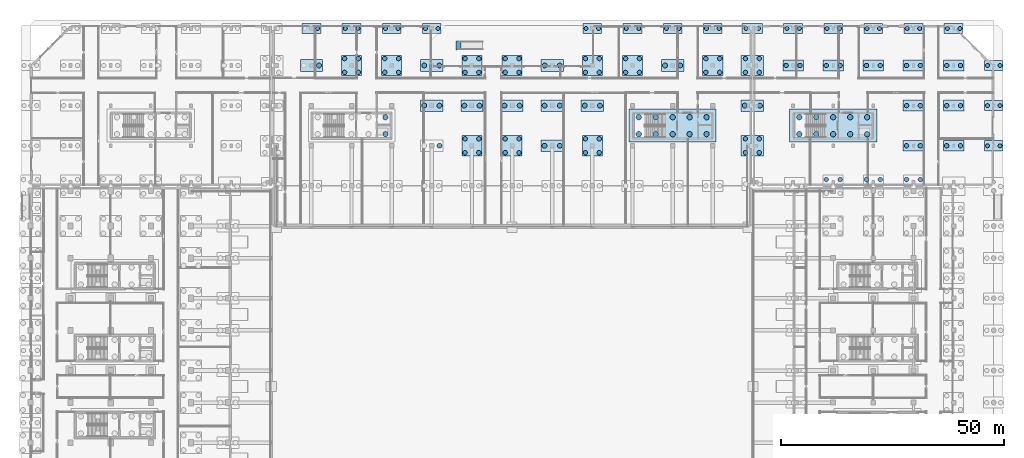
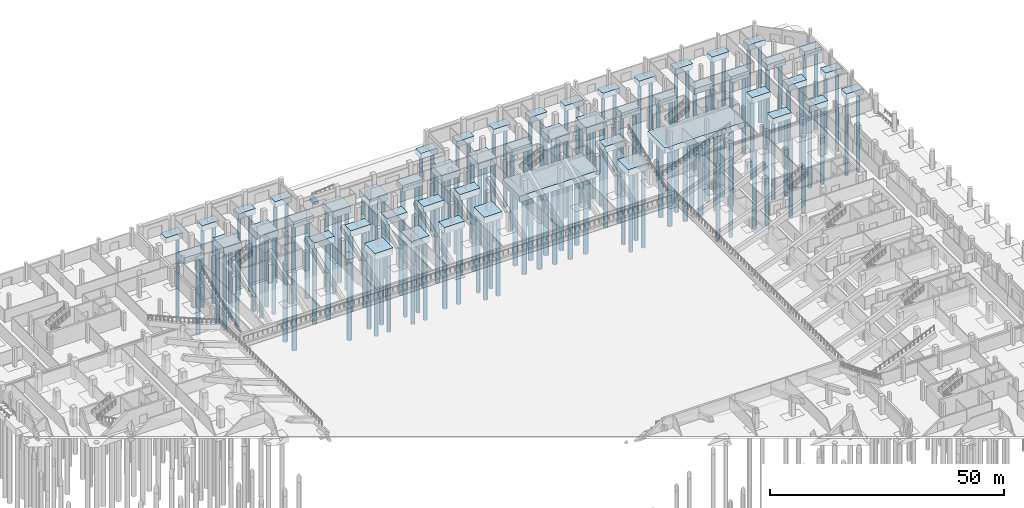
# One storey, part 7 of 53: 149 piles, 52 footings.
"""IFC4 building model written with IfcOpenShell, lengths in metres."""

from ifc_helpers import new_model, si_unit, direction, frame, origin, origin_2d, place, context, subcontext, project, spatial, rectangle, circle, extrude, material, layer, layer_set, material_profile, profile_set, type_object, element, save


model = new_model("IFC4")

# Units and contexts
model_context = context("Model", 3, precision=1e-05, world=origin(), true_north=direction((0.0, 1.0)))
body_context = subcontext(model_context, "Body", "Model", "MODEL_VIEW")
ifc_project = project(units=[si_unit("LENGTHUNIT", "METRE"), si_unit("AREAUNIT", "SQUARE_METRE"), si_unit("VOLUMEUNIT", "CUBIC_METRE"), si_unit("PLANEANGLEUNIT", "RADIAN"), si_unit("MASSUNIT", "GRAM", prefix="KILO"), si_unit("THERMODYNAMICTEMPERATUREUNIT", "KELVIN"), si_unit("POWERUNIT", "WATT")], contexts=[model_context])

# Site, building, storey
site_placement = place(None, origin())
site = spatial("IfcSite", under=ifc_project, at=site_placement, CompositionType="ELEMENT")
building_placement = place(site_placement, origin())
building = spatial("IfcBuilding", under=site, at=building_placement, Name="Sindhuravela Promenade Stadium", CompositionType="ELEMENT")
storey_placement = place(building_placement, origin())
storey = spatial("IfcBuildingStorey", under=building, at=storey_placement, Name="L00", CompositionType="ELEMENT", Elevation=0.0)

# Footings
ifc_material_1 = material(Name="Concrete M50", Category="concrete")
ifc_layer_1 = layer(ifc_material_1, 1.60009765625)
ifc_layer_set_1 = layer_set([ifc_layer_1], Name="Concrete M50")
footing_type_1 = type_object("IfcFootingType", Name="FD-PC-19500x7400x1600", PredefinedType="PILE_CAP", material=ifc_layer_set_1)
footing_1_placement = place(storey_placement, frame((144.0, 139.5, -1.60009765625), z_axis=(0.0, 0.0, 1.0), x_axis=(1.0, 0.0, 0.0)))
element("IfcFooting", 1, at=footing_1_placement, inside=storey, type_object=footing_type_1, Name="Core pile cap C10", PredefinedType="PILE_CAP", context=body_context, shape_type="SweptSolid", body=[
    extrude(rectangle(XDim=19.5, YDim=7.39990234375, at=origin_2d()), origin(), (0.0, 0.0, 1.0), 1.60009765625),
])
ifc_layer_2 = layer(ifc_material_1, 1.449951171875)
ifc_layer_set_2 = layer_set([ifc_layer_2], Name="Concrete M50")
footing_type_2 = type_object("IfcFootingType", Name="FD-PC-19700x7400x1450", PredefinedType="PILE_CAP", material=ifc_layer_set_2)
footing_2_placement = place(storey_placement, frame((180.0, 139.5, -1.4501953125), z_axis=(0.0, 0.0, 1.0), x_axis=(1.0, 0.0, 0.0)))
element("IfcFooting", 2, at=footing_2_placement, inside=storey, type_object=footing_type_2, Name="Core pile cap C16", PredefinedType="PILE_CAP", context=body_context, shape_type="SweptSolid", body=[
    extrude(rectangle(XDim=19.699951171875, YDim=7.39990234375, at=origin_2d()), origin(), (0.0, 0.0, 1.0), 1.449951171875),
])
ifc_layer_3 = layer(ifc_material_1, 1.449951171875)
ifc_layer_set_3 = layer_set([ifc_layer_3], Name="Concrete M50")
footing_type_3 = type_object("IfcFootingType", Name="FD-PC-4200x2250x1450", PredefinedType="PILE_CAP", material=ifc_layer_set_3)
for number, where, z_axis, x_axis, name in (
    (3, (63.0, 161.300048828125, -1.4501953125), (0.0, 0.0, 1.0), (1.0, 0.0, 0.0), "Pile cap PC30-0154"),
    (4, (72.0, 161.300048828125, -1.4501953125), (0.0, 0.0, 1.0), (1.0, 0.0, 0.0), "Pile cap PC30-0159"),
    (5, (81.0, 161.300048828125, -1.4501953125), (0.0, 0.0, 1.0), (1.0, 0.0, 0.0), "Pile cap PC30-0164"),
    (6, (90.0, 161.300048828125, -1.4501953125), (0.0, 0.0, 1.0), (1.0, 0.0, 0.0), "Pile cap PC30-0169"),
    (7, (126.0, 161.300048828125, -1.4501953125), (0.0, 0.0, 1.0), (1.0, 0.0, 0.0), "Pile cap PC30-0186"),
    (8, (135.0, 161.300048828125, -1.4501953125), (0.0, 0.0, 1.0), (1.0, 0.0, 0.0), "Pile cap PC30-0191"),
    (9, (144.0, 161.300048828125, -1.4501953125), (0.0, 0.0, 1.0), (1.0, 0.0, 0.0), "Pile cap PC30-0196"),
    (10, (153.0, 161.300048828125, -1.4501953125), (0.0, 0.0, 1.0), (1.0, 0.0, 0.0), "Pile cap PC30-0201"),
    (11, (171.0, 161.300048828125, -1.4501953125), (0.0, 0.0, 1.0), (1.0, 0.0, 0.0), "Pile cap PC30-0339"),
    (12, (180.0, 161.300048828125, -1.4501953125), (0.0, 0.0, 1.0), (1.0, 0.0, 0.0), "Pile cap PC30-0343"),
    (13, (189.0, 161.300048828125, -1.4501953125), (0.0, 0.0, 1.0), (1.0, 0.0, 0.0), "Pile cap PC30-0347"),
    (14, (198.0, 161.300048828125, -1.4501953125), (0.0, 0.0, 1.0), (1.0, 0.0, 0.0), "Pile cap PC30-0351"),
    (15, (207.0, 161.300048828125, -1.4501953125), (0.0, 0.0, 1.0), (1.0, 0.0, 0.0), "Pile cap PC30-0355"),
    (16, (216.0, 135.0, -1.4501953125), (0.0, 0.0, 1.0), (1.0, 0.0, 0.0), "Pile cap PC30-0356"),
    (17, (216.0, 144.0, -1.4501953125), (0.0, 0.0, 1.0), (1.0, 0.0, 0.0), "Pile cap PC30-0357"),
    (18, (216.0, 153.0, -1.4501953125), (0.0, 0.0, 1.0), (1.0, 0.0, 0.0), "Pile cap PC30-0358"),
):
    element("IfcFooting", number, at=place(storey_placement, frame(where, z_axis=z_axis, x_axis=x_axis)), inside=storey, type_object=footing_type_3, Name=name, PredefinedType="PILE_CAP", context=body_context, shape_type="SweptSolid", body=[
        extrude(rectangle(XDim=4.199951171875, YDim=2.25, at=origin_2d()), origin(), (0.0, 0.0, 1.0), 1.449951171875),
    ])
ifc_layer_4 = layer(ifc_material_1, 1.75)
ifc_layer_set_4 = layer_set([ifc_layer_4], Name="Concrete M50")
footing_type_4 = type_object("IfcFootingType", Name="FD-PC-4500x4500x1750", PredefinedType="PILE_CAP", material=ifc_layer_set_4)
for number, where, z_axis, x_axis, name in (
    (19, (72.0, 153.0, -1.75), (0.0, 0.0, 1.0), (1.0, 0.0, 0.0), "Pile cap PC26-0158"),
    (20, (81.0, 153.0, -1.75), (0.0, 0.0, 1.0), (1.0, 0.0, 0.0), "Pile cap PC26-0163"),
    (21, (99.0, 135.0, -1.75), (0.0, 0.0, 1.0), (1.0, 0.0, 0.0), "Pile cap PC26-0171"),
    (22, (99.0, 153.0, -1.75), (0.0, 0.0, 1.0), (1.0, 0.0, 0.0), "Pile cap PC26-0173"),
    (23, (108.0, 135.0, -1.75), (0.0, 0.0, 1.0), (1.0, 0.0, 0.0), "Pile cap PC26-0175"),
    (24, (108.0, 153.0, -1.75), (0.0, 0.0, 1.0), (1.0, 0.0, 0.0), "Pile cap PC26-0177"),
    (25, (126.0, 135.0, -1.75), (0.0, 0.0, 1.0), (1.0, 0.0, 0.0), "Pile cap PC26-0183"),
    (26, (126.0, 153.0, -1.75), (0.0, 0.0, 1.0), (1.0, 0.0, 0.0), "Pile cap PC26-0185"),
    (27, (135.0, 153.0, -1.75), (0.0, 0.0, 1.0), (1.0, 0.0, 0.0), "Pile cap PC26-0190"),
    (28, (153.0, 153.0, -1.75), (0.0, 0.0, 1.0), (1.0, 0.0, 0.0), "Pile cap PC26-0200"),
):
    element("IfcFooting", number, at=place(storey_placement, frame(where, z_axis=z_axis, x_axis=x_axis)), inside=storey, type_object=footing_type_4, Name=name, PredefinedType="PILE_CAP", context=body_context, shape_type="SweptSolid", body=[
        extrude(rectangle(XDim=4.5, YDim=4.5, at=origin_2d()), origin(), (0.0, 0.0, 1.0), 1.75),
    ])
ifc_layer_5 = layer(ifc_material_1, 1.449951171875)
ifc_layer_set_5 = layer_set([ifc_layer_5], Name="Concrete M50")
footing_type_5 = type_object("IfcFootingType", Name="FD-PC-4550x2250x1450", PredefinedType="PILE_CAP", material=ifc_layer_set_5)
footing_3_placement = place(storey_placement, frame((161.875, 161.300048828125, -1.4501953125), z_axis=(0.0, 0.0, 1.0), x_axis=(1.0, 0.0, 0.0)))
element("IfcFooting", 29, at=footing_3_placement, inside=storey, type_object=footing_type_5, Name="Pile cap PC29-0206", PredefinedType="PILE_CAP", context=body_context, shape_type="SweptSolid", body=[
    extrude(rectangle(XDim=4.550048828125, YDim=2.25, at=origin_2d()), origin(), (0.0, 0.0, 1.0), 1.449951171875),
])
ifc_layer_6 = layer(ifc_material_1, 1.550048828125)
ifc_layer_set_6 = layer_set([ifc_layer_6], Name="Concrete M50")
footing_type_6 = type_object("IfcFootingType", Name="FD-PC-4600x2450x1550", PredefinedType="PILE_CAP", material=ifc_layer_set_6)
for number, where, z_axis, x_axis, name in (
    (30, (171.0, 153.0, -1.5498046875), (0.0, 0.0, 1.0), (1.0, 0.0, 0.0), "Pile cap PC25-0338"),
    (31, (180.0, 153.0, -1.5498046875), (0.0, 0.0, 1.0), (1.0, 0.0, 0.0), "Pile cap PC25-0342"),
    (32, (189.0, 153.0, -1.5498046875), (0.0, 0.0, 1.0), (1.0, 0.0, 0.0), "Pile cap PC25-0346"),
    (33, (198.0, 135.0, -1.5498046875), (0.0, 0.0, 1.0), (1.0, 0.0, 0.0), "Pile cap PC25-0348"),
    (34, (198.0, 144.0, -1.5498046875), (0.0, 0.0, 1.0), (1.0, 0.0, 0.0), "Pile cap PC25-0349"),
    (35, (198.0, 153.0, -1.5498046875), (0.0, 0.0, 1.0), (1.0, 0.0, 0.0), "Pile cap PC25-0350"),
    (36, (207.0, 135.0, -1.5498046875), (0.0, 0.0, 1.0), (1.0, 0.0, 0.0), "Pile cap PC25-0352"),
    (37, (207.0, 144.0, -1.5498046875), (0.0, 0.0, 1.0), (1.0, 0.0, 0.0), "Pile cap PC25-0353"),
    (38, (207.0, 153.0, -1.5498046875), (0.0, 0.0, 1.0), (1.0, 0.0, 0.0), "Pile cap PC25-0354"),
):
    element("IfcFooting", number, at=place(storey_placement, frame(where, z_axis=z_axis, x_axis=x_axis)), inside=storey, type_object=footing_type_6, Name=name, PredefinedType="PILE_CAP", context=body_context, shape_type="SweptSolid", body=[
        extrude(rectangle(XDim=4.60009765625, YDim=2.449951171875, at=origin_2d()), origin(), (0.0, 0.0, 1.0), 1.550048828125),
    ])
ifc_layer_7 = layer(ifc_material_1, 1.64990234375)
ifc_layer_set_7 = layer_set([ifc_layer_7], Name="Concrete M50")
footing_type_7 = type_object("IfcFootingType", Name="FD-PC-5000x2600x1650", PredefinedType="PILE_CAP", material=ifc_layer_set_7)
for number, where, z_axis, x_axis, name in (
    (39, (63.0, 153.0, -1.64990234375), (0.0, 0.0, 1.0), (1.0, 0.0, 0.0), "Pile cap PC23-0153"),
    (40, (90.0, 144.0, -1.64990234375), (0.0, 0.0, 1.0), (1.0, 0.0, 0.0), "Pile cap PC23-0167"),
    (41, (90.0, 153.0, -1.64990234375), (0.0, 0.0, 1.0), (1.0, 0.0, 0.0), "Pile cap PC23-0168"),
    (42, (99.0, 144.0, -1.64990234375), (0.0, 0.0, 1.0), (1.0, 0.0, 0.0), "Pile cap PC23-0172"),
    (43, (108.0, 144.0, -1.64990234375), (0.0, 0.0, 1.0), (1.0, 0.0, 0.0), "Pile cap PC23-0176"),
    (44, (117.0, 135.0, -1.64990234375), (0.0, 0.0, 1.0), (1.0, 0.0, 0.0), "Pile cap PC23-0179"),
    (45, (117.0, 144.0, -1.64990234375), (0.0, 0.0, 1.0), (1.0, 0.0, 0.0), "Pile cap PC23-0180"),
    (46, (117.0, 153.0, -1.64990234375), (0.0, 0.0, 1.0), (1.0, 0.0, 0.0), "Pile cap PC23-0181"),
    (47, (126.0, 144.0, -1.64990234375), (0.0, 0.0, 1.0), (1.0, 0.0, 0.0), "Pile cap PC23-0184"),
    (48, (144.0, 153.0, -1.64990234375), (0.0, 0.0, 1.0), (1.0, 0.0, 0.0), "Pile cap PC23-0195"),
    (49, (161.875, 144.0, -1.64990234375), (0.0, 0.0, 1.0), (1.0, 0.0, 0.0), "Pile cap PC23-0204"),
):
    element("IfcFooting", number, at=place(storey_placement, frame(where, z_axis=z_axis, x_axis=x_axis)), inside=storey, type_object=footing_type_7, Name=name, PredefinedType="PILE_CAP", context=body_context, shape_type="SweptSolid", body=[
        extrude(rectangle(XDim=5.0, YDim=2.60009765625, at=origin_2d()), origin(), (0.0, 0.0, 1.0), 1.64990234375),
    ])
ifc_layer_8 = layer(ifc_material_1, 1.75)
ifc_layer_set_8 = layer_set([ifc_layer_8], Name="Concrete M50")
footing_type_8 = type_object("IfcFootingType", Name="FD-PC-5050x4500x1750", PredefinedType="PILE_CAP", material=ifc_layer_set_8)
for number, where, z_axis, x_axis, name in (
    (50, (161.875, 135.0, -1.75), (0.0, 0.0, 1.0), (1.0, 0.0, 0.0), "Pile cap PC28-0203"),
    (51, (161.875, 153.0, -1.75), (0.0, 0.0, 1.0), (1.0, 0.0, 0.0), "Pile cap PC28-0205"),
):
    element("IfcFooting", number, at=place(storey_placement, frame(where, z_axis=z_axis, x_axis=x_axis)), inside=storey, type_object=footing_type_8, Name=name, PredefinedType="PILE_CAP", context=body_context, shape_type="SweptSolid", body=[
        extrude(rectangle(XDim=5.050048828125, YDim=4.5, at=origin_2d()), origin(), (0.0, 0.0, 1.0), 1.75),
    ])
ifc_layer_9 = layer(ifc_material_1, 0.800048828125)
ifc_layer_set_9 = layer_set([ifc_layer_9], Name="Concrete M50")
footing_type_9 = type_object("IfcFootingType", Name="FD-PF-1200x2000x800", PredefinedType="PAD_FOOTING", material=ifc_layer_set_9)
footing_4_placement = place(storey_placement, frame((96.0, 157.5, -1.25), z_axis=(0.0, 0.0, 1.0), x_axis=(1.0, 0.0, 0.0)))
element("IfcFooting", 52, at=footing_4_placement, inside=storey, type_object=footing_type_9, Name="Step-free ramp toe pad footing 06", PredefinedType="PAD_FOOTING", context=body_context, shape_type="SweptSolid", body=[
    extrude(rectangle(XDim=1.199951171875, YDim=2.0, at=origin_2d()), origin(), (0.0, 0.0, 1.0), 0.800048828125),
])

# Piles
ifc_material_2 = material(Name="Concrete M40", Category="concrete")
ifc_material_profile_1 = material_profile(ifc_material_2, circle(Radius=0.5, at=origin_2d()), Name="BORED PILE D1000")
ifc_profile_set_1 = profile_set([ifc_material_profile_1], Name="Concrete M40")
pile_type_1 = type_object("IfcPileType", Name="FD-PL-1000", PredefinedType="BORED", material=ifc_profile_set_1)
for number, where, z_axis, x_axis, name in (
    (53, (178.449951171875, 127.425048828125, -1.64990234375), (0.0, 0.0, -1.0), (1.0, 0.0, 0.0), "Bored pile P1000-0367"),
    (54, (181.550048828125, 127.425048828125, -1.64990234375), (0.0, 0.0, -1.0), (1.0, 0.0, 0.0), "Bored pile P1000-0368"),
    (55, (187.449951171875, 127.425048828125, -1.64990234375), (0.0, 0.0, -1.0), (1.0, 0.0, 0.0), "Bored pile P1000-0383"),
    (56, (190.550048828125, 127.425048828125, -1.64990234375), (0.0, 0.0, -1.0), (1.0, 0.0, 0.0), "Bored pile P1000-0384"),
    (57, (196.449951171875, 127.425048828125, -1.64990234375), (0.0, 0.0, -1.0), (1.0, 0.0, 0.0), "Bored pile P1000-0399"),
    (58, (199.550048828125, 127.425048828125, -1.64990234375), (0.0, 0.0, -1.0), (1.0, 0.0, 0.0), "Bored pile P1000-0400"),
    (59, (70.449951171875, 151.449951171875, -1.64990234375), (0.0, 0.0, -1.0), (1.0, 0.0, 0.0), "Bored pile P1000-0491"),
    (60, (73.550048828125, 151.449951171875, -1.64990234375), (0.0, 0.0, -1.0), (1.0, 0.0, 0.0), "Bored pile P1000-0492"),
    (61, (70.449951171875, 154.550048828125, -1.64990234375), (0.0, 0.0, -1.0), (1.0, 0.0, 0.0), "Bored pile P1000-0493"),
    (62, (73.550048828125, 154.550048828125, -1.64990234375), (0.0, 0.0, -1.0), (1.0, 0.0, 0.0), "Bored pile P1000-0494"),
    (63, (79.449951171875, 151.449951171875, -1.64990234375), (0.0, 0.0, -1.0), (1.0, 0.0, 0.0), "Bored pile P1000-0499"),
    (64, (82.550048828125, 151.449951171875, -1.64990234375), (0.0, 0.0, -1.0), (1.0, 0.0, 0.0), "Bored pile P1000-0500"),
    (65, (79.449951171875, 154.550048828125, -1.64990234375), (0.0, 0.0, -1.0), (1.0, 0.0, 0.0), "Bored pile P1000-0501"),
    (66, (82.550048828125, 154.550048828125, -1.64990234375), (0.0, 0.0, -1.0), (1.0, 0.0, 0.0), "Bored pile P1000-0502"),
    (67, (97.449951171875, 133.449951171875, -1.64990234375), (0.0, 0.0, -1.0), (1.0, 0.0, 0.0), "Bored pile P1000-0517"),
    (68, (100.550048828125, 133.449951171875, -1.64990234375), (0.0, 0.0, -1.0), (1.0, 0.0, 0.0), "Bored pile P1000-0518"),
    (69, (97.449951171875, 136.550048828125, -1.64990234375), (0.0, 0.0, -1.0), (1.0, 0.0, 0.0), "Bored pile P1000-0519"),
    (70, (100.550048828125, 136.550048828125, -1.64990234375), (0.0, 0.0, -1.0), (1.0, 0.0, 0.0), "Bored pile P1000-0520"),
    (71, (97.449951171875, 151.449951171875, -1.64990234375), (0.0, 0.0, -1.0), (1.0, 0.0, 0.0), "Bored pile P1000-0523"),
    (72, (100.550048828125, 151.449951171875, -1.64990234375), (0.0, 0.0, -1.0), (1.0, 0.0, 0.0), "Bored pile P1000-0524"),
    (73, (97.449951171875, 154.550048828125, -1.64990234375), (0.0, 0.0, -1.0), (1.0, 0.0, 0.0), "Bored pile P1000-0525"),
    (74, (100.550048828125, 154.550048828125, -1.64990234375), (0.0, 0.0, -1.0), (1.0, 0.0, 0.0), "Bored pile P1000-0526"),
    (75, (106.449951171875, 133.449951171875, -1.64990234375), (0.0, 0.0, -1.0), (1.0, 0.0, 0.0), "Bored pile P1000-0529"),
    (76, (109.550048828125, 133.449951171875, -1.64990234375), (0.0, 0.0, -1.0), (1.0, 0.0, 0.0), "Bored pile P1000-0530"),
    (77, (106.449951171875, 136.550048828125, -1.64990234375), (0.0, 0.0, -1.0), (1.0, 0.0, 0.0), "Bored pile P1000-0531"),
    (78, (109.550048828125, 136.550048828125, -1.64990234375), (0.0, 0.0, -1.0), (1.0, 0.0, 0.0), "Bored pile P1000-0532"),
    (79, (106.449951171875, 151.449951171875, -1.64990234375), (0.0, 0.0, -1.0), (1.0, 0.0, 0.0), "Bored pile P1000-0535"),
    (80, (109.550048828125, 151.449951171875, -1.64990234375), (0.0, 0.0, -1.0), (1.0, 0.0, 0.0), "Bored pile P1000-0536"),
    (81, (106.449951171875, 154.550048828125, -1.64990234375), (0.0, 0.0, -1.0), (1.0, 0.0, 0.0), "Bored pile P1000-0537"),
    (82, (109.550048828125, 154.550048828125, -1.64990234375), (0.0, 0.0, -1.0), (1.0, 0.0, 0.0), "Bored pile P1000-0538"),
    (83, (124.449951171875, 133.449951171875, -1.64990234375), (0.0, 0.0, -1.0), (1.0, 0.0, 0.0), "Bored pile P1000-0549"),
    (84, (127.550048828125, 133.449951171875, -1.64990234375), (0.0, 0.0, -1.0), (1.0, 0.0, 0.0), "Bored pile P1000-0550"),
    (85, (124.449951171875, 136.550048828125, -1.64990234375), (0.0, 0.0, -1.0), (1.0, 0.0, 0.0), "Bored pile P1000-0551"),
    (86, (127.550048828125, 136.550048828125, -1.64990234375), (0.0, 0.0, -1.0), (1.0, 0.0, 0.0), "Bored pile P1000-0552"),
    (87, (124.449951171875, 151.449951171875, -1.64990234375), (0.0, 0.0, -1.0), (1.0, 0.0, 0.0), "Bored pile P1000-0555"),
    (88, (127.550048828125, 151.449951171875, -1.64990234375), (0.0, 0.0, -1.0), (1.0, 0.0, 0.0), "Bored pile P1000-0556"),
    (89, (124.449951171875, 154.550048828125, -1.64990234375), (0.0, 0.0, -1.0), (1.0, 0.0, 0.0), "Bored pile P1000-0557"),
    (90, (127.550048828125, 154.550048828125, -1.64990234375), (0.0, 0.0, -1.0), (1.0, 0.0, 0.0), "Bored pile P1000-0558"),
    (91, (133.449951171875, 151.449951171875, -1.64990234375), (0.0, 0.0, -1.0), (1.0, 0.0, 0.0), "Bored pile P1000-0563"),
    (92, (136.550048828125, 151.449951171875, -1.64990234375), (0.0, 0.0, -1.0), (1.0, 0.0, 0.0), "Bored pile P1000-0564"),
    (93, (133.449951171875, 154.550048828125, -1.64990234375), (0.0, 0.0, -1.0), (1.0, 0.0, 0.0), "Bored pile P1000-0565"),
    (94, (136.550048828125, 154.550048828125, -1.64990234375), (0.0, 0.0, -1.0), (1.0, 0.0, 0.0), "Bored pile P1000-0566"),
    (95, (151.449951171875, 151.449951171875, -1.64990234375), (0.0, 0.0, -1.0), (1.0, 0.0, 0.0), "Bored pile P1000-0577"),
    (96, (154.550048828125, 151.449951171875, -1.64990234375), (0.0, 0.0, -1.0), (1.0, 0.0, 0.0), "Bored pile P1000-0578"),
    (97, (151.449951171875, 154.550048828125, -1.64990234375), (0.0, 0.0, -1.0), (1.0, 0.0, 0.0), "Bored pile P1000-0579"),
    (98, (154.550048828125, 154.550048828125, -1.64990234375), (0.0, 0.0, -1.0), (1.0, 0.0, 0.0), "Bored pile P1000-0580"),
    (99, (160.324951171875, 133.449951171875, -1.64990234375), (0.0, 0.0, -1.0), (1.0, 0.0, 0.0), "Bored pile P1000-0585"),
    (100, (163.425048828125, 133.449951171875, -1.64990234375), (0.0, 0.0, -1.0), (1.0, 0.0, 0.0), "Bored pile P1000-0586"),
    (101, (160.324951171875, 136.550048828125, -1.64990234375), (0.0, 0.0, -1.0), (1.0, 0.0, 0.0), "Bored pile P1000-0587"),
    (102, (163.425048828125, 136.550048828125, -1.64990234375), (0.0, 0.0, -1.0), (1.0, 0.0, 0.0), "Bored pile P1000-0588"),
    (103, (160.324951171875, 151.449951171875, -1.64990234375), (0.0, 0.0, -1.0), (1.0, 0.0, 0.0), "Bored pile P1000-0591"),
    (104, (163.425048828125, 151.449951171875, -1.64990234375), (0.0, 0.0, -1.0), (1.0, 0.0, 0.0), "Bored pile P1000-0592"),
    (105, (160.324951171875, 154.550048828125, -1.64990234375), (0.0, 0.0, -1.0), (1.0, 0.0, 0.0), "Bored pile P1000-0593"),
    (106, (163.425048828125, 154.550048828125, -1.64990234375), (0.0, 0.0, -1.0), (1.0, 0.0, 0.0), "Bored pile P1000-0594"),
):
    element("IfcPile", number, at=place(storey_placement, frame(where, z_axis=z_axis, x_axis=x_axis)), inside=storey, type_object=pile_type_1, Name=name, PredefinedType="BORED", context=body_context, shape_type="SweptSolid", body=[
        extrude(circle(Radius=0.5, at=origin_2d()), origin(), (0.0, 0.0, 1.0), 20.35009765625),
    ])
for number, where, z_axis, x_axis, name in (
    (107, (169.449951171875, 153.0, -1.449951171875), (0.0, 0.0, -1.0), (1.0, 0.0, 0.0), "Bored pile P1000-0823"),
    (108, (172.550048828125, 153.0, -1.449951171875), (0.0, 0.0, -1.0), (1.0, 0.0, 0.0), "Bored pile P1000-0824"),
    (109, (178.449951171875, 153.0, -1.449951171875), (0.0, 0.0, -1.0), (1.0, 0.0, 0.0), "Bored pile P1000-0827"),
    (110, (181.550048828125, 153.0, -1.449951171875), (0.0, 0.0, -1.0), (1.0, 0.0, 0.0), "Bored pile P1000-0828"),
    (111, (187.449951171875, 153.0, -1.449951171875), (0.0, 0.0, -1.0), (1.0, 0.0, 0.0), "Bored pile P1000-0831"),
    (112, (190.550048828125, 153.0, -1.449951171875), (0.0, 0.0, -1.0), (1.0, 0.0, 0.0), "Bored pile P1000-0832"),
    (113, (196.449951171875, 135.0, -1.449951171875), (0.0, 0.0, -1.0), (1.0, 0.0, 0.0), "Bored pile P1000-0835"),
    (114, (199.550048828125, 135.0, -1.449951171875), (0.0, 0.0, -1.0), (1.0, 0.0, 0.0), "Bored pile P1000-0836"),
    (115, (196.449951171875, 144.0, -1.449951171875), (0.0, 0.0, -1.0), (1.0, 0.0, 0.0), "Bored pile P1000-0837"),
    (116, (199.550048828125, 144.0, -1.449951171875), (0.0, 0.0, -1.0), (1.0, 0.0, 0.0), "Bored pile P1000-0838"),
    (117, (196.449951171875, 153.0, -1.449951171875), (0.0, 0.0, -1.0), (1.0, 0.0, 0.0), "Bored pile P1000-0839"),
    (118, (199.550048828125, 153.0, -1.449951171875), (0.0, 0.0, -1.0), (1.0, 0.0, 0.0), "Bored pile P1000-0840"),
    (119, (205.449951171875, 135.0, -1.449951171875), (0.0, 0.0, -1.0), (1.0, 0.0, 0.0), "Bored pile P1000-0843"),
    (120, (208.550048828125, 135.0, -1.449951171875), (0.0, 0.0, -1.0), (1.0, 0.0, 0.0), "Bored pile P1000-0844"),
    (121, (205.449951171875, 144.0, -1.449951171875), (0.0, 0.0, -1.0), (1.0, 0.0, 0.0), "Bored pile P1000-0845"),
    (122, (208.550048828125, 144.0, -1.449951171875), (0.0, 0.0, -1.0), (1.0, 0.0, 0.0), "Bored pile P1000-0846"),
    (123, (205.449951171875, 153.0, -1.449951171875), (0.0, 0.0, -1.0), (1.0, 0.0, 0.0), "Bored pile P1000-0847"),
    (124, (208.550048828125, 153.0, -1.449951171875), (0.0, 0.0, -1.0), (1.0, 0.0, 0.0), "Bored pile P1000-0848"),
):
    element("IfcPile", number, at=place(storey_placement, frame(where, z_axis=z_axis, x_axis=x_axis)), inside=storey, type_object=pile_type_1, Name=name, PredefinedType="BORED", context=body_context, shape_type="SweptSolid", body=[
        extrude(circle(Radius=0.5, at=origin_2d()), origin(), (0.0, 0.0, 1.0), 20.550048828125),
    ])
ifc_material_profile_2 = material_profile(ifc_material_2, circle(Radius=0.550048828125, at=origin_2d()), Name="BORED PILE D1100")
ifc_profile_set_2 = profile_set([ifc_material_profile_2], Name="Concrete M40")
pile_type_2 = type_object("IfcPileType", Name="FD-PL-1100", PredefinedType="BORED", material=ifc_profile_set_2)
for number, where, z_axis, x_axis, name in (
    (125, (64.699951171875, 153.0, -1.550048828125), (0.0, 0.0, -1.0), (1.0, 0.0, 0.0), "Bored pile P1100-0486"),
    (126, (91.699951171875, 135.0, -1.550048828125), (0.0, 0.0, -1.0), (1.0, 0.0, 0.0), "Bored pile P1100-0508"),
    (127, (88.300048828125, 144.0, -1.550048828125), (0.0, 0.0, -1.0), (1.0, 0.0, 0.0), "Bored pile P1100-0509"),
    (128, (91.699951171875, 144.0, -1.550048828125), (0.0, 0.0, -1.0), (1.0, 0.0, 0.0), "Bored pile P1100-0510"),
    (129, (88.300048828125, 153.0, -1.550048828125), (0.0, 0.0, -1.0), (1.0, 0.0, 0.0), "Bored pile P1100-0511"),
    (130, (91.699951171875, 153.0, -1.550048828125), (0.0, 0.0, -1.0), (1.0, 0.0, 0.0), "Bored pile P1100-0512"),
    (131, (97.300048828125, 144.0, -1.550048828125), (0.0, 0.0, -1.0), (1.0, 0.0, 0.0), "Bored pile P1100-0521"),
    (132, (100.699951171875, 144.0, -1.550048828125), (0.0, 0.0, -1.0), (1.0, 0.0, 0.0), "Bored pile P1100-0522"),
    (133, (106.300048828125, 144.0, -1.550048828125), (0.0, 0.0, -1.0), (1.0, 0.0, 0.0), "Bored pile P1100-0533"),
    (134, (109.699951171875, 144.0, -1.550048828125), (0.0, 0.0, -1.0), (1.0, 0.0, 0.0), "Bored pile P1100-0534"),
    (135, (115.300048828125, 135.0, -1.550048828125), (0.0, 0.0, -1.0), (1.0, 0.0, 0.0), "Bored pile P1100-0541"),
    (136, (118.699951171875, 135.0, -1.550048828125), (0.0, 0.0, -1.0), (1.0, 0.0, 0.0), "Bored pile P1100-0542"),
    (137, (115.300048828125, 144.0, -1.550048828125), (0.0, 0.0, -1.0), (1.0, 0.0, 0.0), "Bored pile P1100-0543"),
    (138, (118.699951171875, 144.0, -1.550048828125), (0.0, 0.0, -1.0), (1.0, 0.0, 0.0), "Bored pile P1100-0544"),
    (139, (115.300048828125, 153.0, -1.550048828125), (0.0, 0.0, -1.0), (1.0, 0.0, 0.0), "Bored pile P1100-0545"),
    (140, (118.699951171875, 153.0, -1.550048828125), (0.0, 0.0, -1.0), (1.0, 0.0, 0.0), "Bored pile P1100-0546"),
    (141, (124.300048828125, 144.0, -1.550048828125), (0.0, 0.0, -1.0), (1.0, 0.0, 0.0), "Bored pile P1100-0553"),
    (142, (127.699951171875, 144.0, -1.550048828125), (0.0, 0.0, -1.0), (1.0, 0.0, 0.0), "Bored pile P1100-0554"),
    (143, (142.300048828125, 153.0, -1.550048828125), (0.0, 0.0, -1.0), (1.0, 0.0, 0.0), "Bored pile P1100-0571"),
    (144, (145.699951171875, 153.0, -1.550048828125), (0.0, 0.0, -1.0), (1.0, 0.0, 0.0), "Bored pile P1100-0572"),
    (145, (160.175048828125, 144.0, -1.550048828125), (0.0, 0.0, -1.0), (1.0, 0.0, 0.0), "Bored pile P1100-0589"),
    (146, (163.574951171875, 144.0, -1.550048828125), (0.0, 0.0, -1.0), (1.0, 0.0, 0.0), "Bored pile P1100-0590"),
):
    element("IfcPile", number, at=place(storey_placement, frame(where, z_axis=z_axis, x_axis=x_axis)), inside=storey, type_object=pile_type_2, Name=name, PredefinedType="BORED", context=body_context, shape_type="SweptSolid", body=[
        extrude(circle(Radius=0.550048828125, at=origin_2d()), origin(), (0.0, 0.0, 1.0), 20.449951171875),
    ])
ifc_material_profile_3 = material_profile(ifc_material_2, circle(Radius=0.60009765625, at=origin_2d()), Name="BORED PILE D1200")
ifc_profile_set_3 = profile_set([ifc_material_profile_3], Name="Concrete M40")
pile_type_3 = type_object("IfcPileType", Name="FD-PL-1200", PredefinedType="BORED", material=ifc_profile_set_3)
for number, where, z_axis, x_axis, name in (
    (147, (79.60009765625, 137.60009765625, -1.5), (0.0, 0.0, -1.0), (1.0, 0.0, 0.0), "Bored pile P1200-0089"),
    (148, (79.60009765625, 141.39990234375, -1.5), (0.0, 0.0, -1.0), (1.0, 0.0, 0.0), "Bored pile P1200-0090"),
    (149, (136.39990234375, 137.60009765625, -1.5), (0.0, 0.0, -1.0), (1.0, 0.0, 0.0), "Bored pile P1200-0091"),
    (150, (136.39990234375, 141.39990234375, -1.5), (0.0, 0.0, -1.0), (1.0, 0.0, 0.0), "Bored pile P1200-0092"),
    (151, (140.199951171875, 137.60009765625, -1.5), (0.0, 0.0, -1.0), (1.0, 0.0, 0.0), "Bored pile P1200-0093"),
    (152, (140.199951171875, 141.39990234375, -1.5), (0.0, 0.0, -1.0), (1.0, 0.0, 0.0), "Bored pile P1200-0094"),
    (153, (144.0, 137.60009765625, -1.5), (0.0, 0.0, -1.0), (1.0, 0.0, 0.0), "Bored pile P1200-0095"),
    (154, (144.0, 141.39990234375, -1.5), (0.0, 0.0, -1.0), (1.0, 0.0, 0.0), "Bored pile P1200-0096"),
    (155, (147.800048828125, 137.60009765625, -1.5), (0.0, 0.0, -1.0), (1.0, 0.0, 0.0), "Bored pile P1200-0097"),
    (156, (147.800048828125, 141.39990234375, -1.5), (0.0, 0.0, -1.0), (1.0, 0.0, 0.0), "Bored pile P1200-0098"),
    (157, (151.60009765625, 137.60009765625, -1.5), (0.0, 0.0, -1.0), (1.0, 0.0, 0.0), "Bored pile P1200-0099"),
    (158, (151.60009765625, 141.39990234375, -1.5), (0.0, 0.0, -1.0), (1.0, 0.0, 0.0), "Bored pile P1200-0100"),
):
    element("IfcPile", number, at=place(storey_placement, frame(where, z_axis=z_axis, x_axis=x_axis)), inside=storey, type_object=pile_type_3, Name=name, PredefinedType="BORED", context=body_context, shape_type="SweptSolid", body=[
        extrude(circle(Radius=0.60009765625, at=origin_2d()), origin(), (0.0, 0.0, 1.0), 20.5),
    ])
for number, where, z_axis, x_axis, name in (
    (159, (172.39990234375, 137.60009765625, -1.35009765625), (0.0, 0.0, -1.0), (1.0, 0.0, 0.0), "Bored pile P1200-0151"),
    (160, (172.39990234375, 141.39990234375, -1.35009765625), (0.0, 0.0, -1.0), (1.0, 0.0, 0.0), "Bored pile P1200-0152"),
    (161, (176.199951171875, 137.60009765625, -1.35009765625), (0.0, 0.0, -1.0), (1.0, 0.0, 0.0), "Bored pile P1200-0153"),
    (162, (176.199951171875, 141.39990234375, -1.35009765625), (0.0, 0.0, -1.0), (1.0, 0.0, 0.0), "Bored pile P1200-0154"),
    (163, (180.0, 137.60009765625, -1.35009765625), (0.0, 0.0, -1.0), (1.0, 0.0, 0.0), "Bored pile P1200-0155"),
    (164, (180.0, 141.39990234375, -1.35009765625), (0.0, 0.0, -1.0), (1.0, 0.0, 0.0), "Bored pile P1200-0156"),
    (165, (183.800048828125, 137.60009765625, -1.35009765625), (0.0, 0.0, -1.0), (1.0, 0.0, 0.0), "Bored pile P1200-0157"),
    (166, (183.800048828125, 141.39990234375, -1.35009765625), (0.0, 0.0, -1.0), (1.0, 0.0, 0.0), "Bored pile P1200-0158"),
    (167, (187.60009765625, 137.60009765625, -1.35009765625), (0.0, 0.0, -1.0), (1.0, 0.0, 0.0), "Bored pile P1200-0159"),
    (168, (187.60009765625, 141.39990234375, -1.35009765625), (0.0, 0.0, -1.0), (1.0, 0.0, 0.0), "Bored pile P1200-0160"),
):
    element("IfcPile", number, at=place(storey_placement, frame(where, z_axis=z_axis, x_axis=x_axis)), inside=storey, type_object=pile_type_3, Name=name, PredefinedType="BORED", context=body_context, shape_type="SweptSolid", body=[
        extrude(circle(Radius=0.60009765625, at=origin_2d()), origin(), (0.0, 0.0, 1.0), 20.64990234375),
    ])
ifc_material_profile_4 = material_profile(ifc_material_2, circle(Radius=0.449951171875, at=origin_2d()), Name="BORED PILE D900")
ifc_profile_set_4 = profile_set([ifc_material_profile_4], Name="Concrete M40")
pile_type_4 = type_object("IfcPileType", Name="FD-PL-900", PredefinedType="BORED", material=ifc_profile_set_4)
for number, where, z_axis, x_axis, name in (
    (169, (64.39990234375, 161.300048828125, -1.35009765625), (0.0, 0.0, -1.0), (1.0, 0.0, 0.0), "Bored pile P900-0488"),
    (170, (70.60009765625, 161.300048828125, -1.35009765625), (0.0, 0.0, -1.0), (1.0, 0.0, 0.0), "Bored pile P900-0495"),
    (171, (73.39990234375, 161.300048828125, -1.35009765625), (0.0, 0.0, -1.0), (1.0, 0.0, 0.0), "Bored pile P900-0496"),
    (172, (79.60009765625, 161.300048828125, -1.35009765625), (0.0, 0.0, -1.0), (1.0, 0.0, 0.0), "Bored pile P900-0503"),
    (173, (82.39990234375, 161.300048828125, -1.35009765625), (0.0, 0.0, -1.0), (1.0, 0.0, 0.0), "Bored pile P900-0504"),
    (174, (88.60009765625, 161.300048828125, -1.35009765625), (0.0, 0.0, -1.0), (1.0, 0.0, 0.0), "Bored pile P900-0513"),
    (175, (91.39990234375, 161.300048828125, -1.35009765625), (0.0, 0.0, -1.0), (1.0, 0.0, 0.0), "Bored pile P900-0514"),
    (176, (124.60009765625, 161.300048828125, -1.35009765625), (0.0, 0.0, -1.0), (1.0, 0.0, 0.0), "Bored pile P900-0559"),
    (177, (127.39990234375, 161.300048828125, -1.35009765625), (0.0, 0.0, -1.0), (1.0, 0.0, 0.0), "Bored pile P900-0560"),
    (178, (133.60009765625, 161.300048828125, -1.35009765625), (0.0, 0.0, -1.0), (1.0, 0.0, 0.0), "Bored pile P900-0567"),
    (179, (136.39990234375, 161.300048828125, -1.35009765625), (0.0, 0.0, -1.0), (1.0, 0.0, 0.0), "Bored pile P900-0568"),
    (180, (142.60009765625, 161.300048828125, -1.35009765625), (0.0, 0.0, -1.0), (1.0, 0.0, 0.0), "Bored pile P900-0573"),
    (181, (145.39990234375, 161.300048828125, -1.35009765625), (0.0, 0.0, -1.0), (1.0, 0.0, 0.0), "Bored pile P900-0574"),
    (182, (151.60009765625, 161.300048828125, -1.35009765625), (0.0, 0.0, -1.0), (1.0, 0.0, 0.0), "Bored pile P900-0581"),
    (183, (154.39990234375, 161.300048828125, -1.35009765625), (0.0, 0.0, -1.0), (1.0, 0.0, 0.0), "Bored pile P900-0582"),
    (184, (160.47509765625, 161.300048828125, -1.35009765625), (0.0, 0.0, -1.0), (1.0, 0.0, 0.0), "Bored pile P900-0595"),
    (185, (163.27490234375, 161.300048828125, -1.35009765625), (0.0, 0.0, -1.0), (1.0, 0.0, 0.0), "Bored pile P900-0596"),
    (186, (169.60009765625, 161.300048828125, -1.35009765625), (0.0, 0.0, -1.0), (1.0, 0.0, 0.0), "Bored pile P900-0825"),
    (187, (172.39990234375, 161.300048828125, -1.35009765625), (0.0, 0.0, -1.0), (1.0, 0.0, 0.0), "Bored pile P900-0826"),
    (188, (178.60009765625, 161.300048828125, -1.35009765625), (0.0, 0.0, -1.0), (1.0, 0.0, 0.0), "Bored pile P900-0829"),
    (189, (181.39990234375, 161.300048828125, -1.35009765625), (0.0, 0.0, -1.0), (1.0, 0.0, 0.0), "Bored pile P900-0830"),
    (190, (187.60009765625, 161.300048828125, -1.35009765625), (0.0, 0.0, -1.0), (1.0, 0.0, 0.0), "Bored pile P900-0833"),
    (191, (190.39990234375, 161.300048828125, -1.35009765625), (0.0, 0.0, -1.0), (1.0, 0.0, 0.0), "Bored pile P900-0834"),
    (192, (196.60009765625, 161.300048828125, -1.35009765625), (0.0, 0.0, -1.0), (1.0, 0.0, 0.0), "Bored pile P900-0841"),
    (193, (199.39990234375, 161.300048828125, -1.35009765625), (0.0, 0.0, -1.0), (1.0, 0.0, 0.0), "Bored pile P900-0842"),
    (194, (205.60009765625, 161.300048828125, -1.35009765625), (0.0, 0.0, -1.0), (1.0, 0.0, 0.0), "Bored pile P900-0849"),
    (195, (208.39990234375, 161.300048828125, -1.35009765625), (0.0, 0.0, -1.0), (1.0, 0.0, 0.0), "Bored pile P900-0850"),
    (196, (214.60009765625, 135.0, -1.35009765625), (0.0, 0.0, -1.0), (1.0, 0.0, 0.0), "Bored pile P900-0851"),
    (197, (217.39990234375, 135.0, -1.35009765625), (0.0, 0.0, -1.0), (1.0, 0.0, 0.0), "Bored pile P900-0852"),
    (198, (214.60009765625, 144.0, -1.35009765625), (0.0, 0.0, -1.0), (1.0, 0.0, 0.0), "Bored pile P900-0853"),
    (199, (217.39990234375, 144.0, -1.35009765625), (0.0, 0.0, -1.0), (1.0, 0.0, 0.0), "Bored pile P900-0854"),
    (200, (214.60009765625, 153.0, -1.35009765625), (0.0, 0.0, -1.0), (1.0, 0.0, 0.0), "Bored pile P900-0855"),
    (201, (217.39990234375, 153.0, -1.35009765625), (0.0, 0.0, -1.0), (1.0, 0.0, 0.0), "Bored pile P900-0856"),
):
    element("IfcPile", number, at=place(storey_placement, frame(where, z_axis=z_axis, x_axis=x_axis)), inside=storey, type_object=pile_type_4, Name=name, PredefinedType="BORED", context=body_context, shape_type="SweptSolid", body=[
        extrude(circle(Radius=0.449951171875, at=origin_2d()), origin(), (0.0, 0.0, 1.0), 20.64990234375),
    ])

save(model, "model.ifc")
